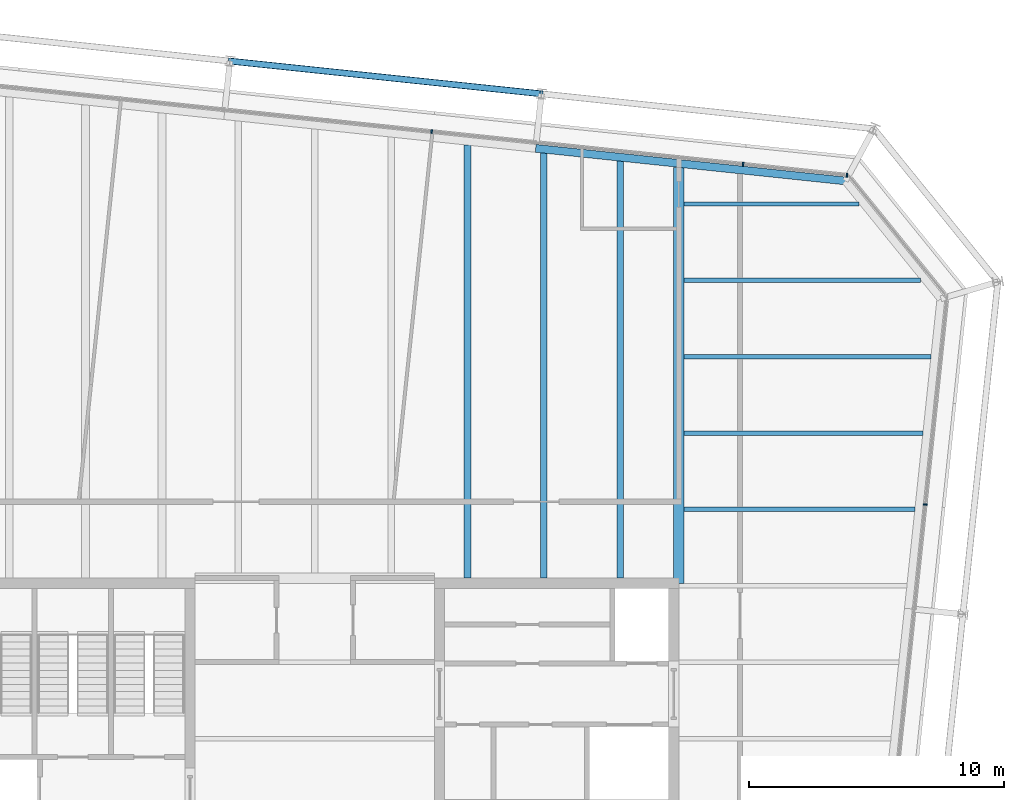
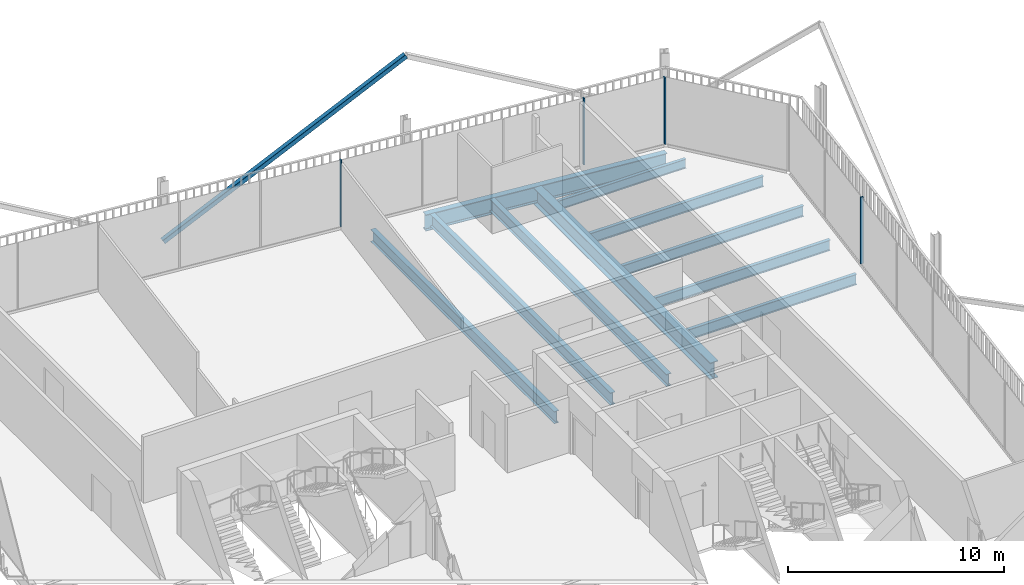
# One storey, part 14 of 21: 10 beams, 5 members, 2 elements without a shape of their own.
"""IFC4 building model written with IfcOpenShell, lengths in metres."""

import ifcopenshell
import ifcopenshell.guid

model = None  # the IFC model being written
_history = None  # IfcOwnerHistory: only IFC2X3 demands one
_inside = {}  # id of a spatial element -> (the spatial element, [elements in it])
_under = {}  # id of a project, library or spatial element -> (it, [spatial elements below it])
_declared = {}  # id of a project -> (the project, [libraries it declares])
_typed = {}  # id of a type object -> (the type object, [elements of that type])
_made_of = {}  # id of a material, layer set ... -> (it, [elements and type objects made of it])


def new_model(schema):
    """Start an empty IFC model of exactly this schema.

    Asked for "IFC4X3", IfcOpenShell would pick the latest addendum, in which some entities
    have other attributes; the version numbers below select the first issue.
    IFC2X3 requires an IfcOwnerHistory on every rooted entity: one is made here for all.
    """
    global model, _history
    if schema == "IFC4X3":
        model = ifcopenshell.file(schema_version=(4, 3, 0, 0))
    else:
        model = ifcopenshell.file(schema=schema)
    _inside.clear()
    _under.clear()
    _declared.clear()
    _typed.clear()
    _made_of.clear()
    _history = None
    if model.schema == "IFC2X3":
        org = make("IfcOrganization", Name="unknown")
        user = make(
            "IfcPersonAndOrganization",
            ThePerson=make("IfcPerson", FamilyName="unknown"),
            TheOrganization=org,
        )
        app = make(
            "IfcApplication",
            ApplicationDeveloper=org,
            Version="unknown",
            ApplicationFullName="unknown",
            ApplicationIdentifier="unknown",
        )
        _history = make(
            "IfcOwnerHistory",
            OwningUser=user,
            OwningApplication=app,
            ChangeAction="ADDED",
            CreationDate=0,
        )
    return model


def make(cls, **values):
    """One entity of the class cls with the attributes given. An attribute that is None is left unset."""
    return model.create_entity(
        cls, **{name: value for name, value in values.items() if value is not None}
    )


def rooted(cls, **values):
    """An entity with a GlobalId (a new one), such as an element, a storey or a relation."""
    return make(cls, GlobalId=ifcopenshell.guid.new(), OwnerHistory=_history, **values)


def si_unit(unit_type, name, prefix=None):
    """IfcSIUnit, for example si_unit("LENGTHUNIT", "METRE", prefix="MILLI")."""
    return make("IfcSIUnit", UnitType=unit_type, Prefix=prefix, Name=name)


def assignment(units):
    """IfcUnitAssignment: the units of a project."""
    return None if units is None else make("IfcUnitAssignment", Units=units)


def point(xyz):
    """IfcCartesianPoint."""
    return None if xyz is None else make("IfcCartesianPoint", Coordinates=xyz)


def direction(xyz):
    """IfcDirection."""
    return None if xyz is None else make("IfcDirection", DirectionRatios=xyz)


def frame(location, z_axis=None, x_axis=None):
    """IfcAxis2Placement3D, a coordinate frame: its origin and axes. An axis left out is left unset."""
    return make(
        "IfcAxis2Placement3D",
        Location=point(location),
        Axis=direction(z_axis),
        RefDirection=direction(x_axis),
    )


def frame_2d(location, x_axis=None):
    """IfcAxis2Placement2D, a coordinate frame in the plane: its origin and x axis."""
    return make(
        "IfcAxis2Placement2D", Location=point(location), RefDirection=direction(x_axis)
    )


def origin():
    """The frame at (0, 0, 0) with its axes left unset."""
    return frame((0.0, 0.0, 0.0))


def origin_2d():
    """The frame at (0, 0) in the plane with its x axis left unset."""
    return frame_2d((0.0, 0.0))


def place(relative_to, where):
    """IfcLocalPlacement: puts the frame where relative to a parent placement (None: the world)."""
    return make(
        "IfcLocalPlacement", PlacementRelTo=relative_to, RelativePlacement=where
    )


def context(
    kind, dimensions, precision=None, world=None, true_north=None, identifier=None
):
    """IfcGeometricRepresentationContext, for example the 3D "Model" context."""
    return make(
        "IfcGeometricRepresentationContext",
        ContextIdentifier=identifier,
        ContextType=kind,
        CoordinateSpaceDimension=dimensions,
        Precision=precision,
        WorldCoordinateSystem=world,
        TrueNorth=true_north,
    )


def subcontext(parent, identifier, kind, view, scale=None):
    """IfcGeometricRepresentationSubContext, for example "Body" below "Model"."""
    return make(
        "IfcGeometricRepresentationSubContext",
        ContextIdentifier=identifier,
        ContextType=kind,
        ParentContext=parent,
        TargetScale=scale,
        TargetView=view,
    )


def project(units=None, contexts=None):
    """IfcProject with its units and contexts."""
    return rooted(
        "IfcProject",
        Name="project",
        RepresentationContexts=contexts,
        UnitsInContext=assignment(units),
    )


def spatial(cls, under=None, at=None, **own):
    """A site, building, storey or space (cls), placed at a placement, below another one or the project."""
    s = rooted(cls, ObjectPlacement=at, **own)
    if under is not None:
        _under.setdefault(under.id(), (under, []))[1].append(s)
    return s


def profile(cls, at=None, kind="AREA", **sizes):
    """A parametric profile (cls). Its sizes go by their IFC names, for example OverallWidth=200.0."""
    return make(cls, ProfileType=kind, Position=at, **sizes)


def rectangle(**sizes):
    """IfcRectangleProfileDef."""
    return profile("IfcRectangleProfileDef", **sizes)


def hollow_rectangle(**sizes):
    """IfcRectangleHollowProfileDef."""
    return profile("IfcRectangleHollowProfileDef", **sizes)


def i_section(**sizes):
    """IfcIShapeProfileDef."""
    return profile("IfcIShapeProfileDef", **sizes)


def extrude(swept, where, along, depth):
    """IfcExtrudedAreaSolid: the profile swept, set in the frame where, extruded along a direction by depth."""
    return make(
        "IfcExtrudedAreaSolid",
        SweptArea=swept,
        Position=where,
        ExtrudedDirection=direction(along),
        Depth=depth,
    )


def shape(context_of_items, identifier, shape_type, items):
    """IfcShapeRepresentation: the items that make up one representation, for example the "Body"."""
    return make(
        "IfcShapeRepresentation",
        ContextOfItems=context_of_items,
        RepresentationIdentifier=identifier,
        RepresentationType=shape_type,
        Items=items,
    )


def material(Name=None, Category=None):
    """IfcMaterial."""
    return make("IfcMaterial", Name=Name, Category=Category)


def layer(
    of_material, thickness, ventilated=None, Name=None, Category=None, Priority=None
):
    """IfcMaterialLayer: one layer of a wall or slab, of a material (None: an air gap)."""
    return make(
        "IfcMaterialLayer",
        Material=of_material,
        LayerThickness=thickness,
        IsVentilated=ventilated,
        Name=Name,
        Category=Category,
        Priority=Priority,
    )


def layer_set(layers, Name=None):
    """IfcMaterialLayerSet."""
    return make("IfcMaterialLayerSet", MaterialLayers=layers, LayerSetName=Name)


def material_profile(
    of_material, cross_section, Name=None, Category=None, Priority=None
):
    """IfcMaterialProfile: a cross section and its material."""
    return make(
        "IfcMaterialProfile",
        Name=Name,
        Material=of_material,
        Profile=cross_section,
        Priority=Priority,
        Category=Category,
    )


def profile_set(profiles, Name=None, composite=None):
    """IfcMaterialProfileSet."""
    return make(
        "IfcMaterialProfileSet",
        Name=Name,
        MaterialProfiles=profiles,
        CompositeProfile=composite,
    )


def made_of(thing, what):
    """Note that an element or type object is made of a material, layer set ...; save() writes the relation."""
    if what is not None:
        _made_of.setdefault(what.id(), (what, []))[1].append(thing)
    return thing


def type_object(cls, material=None, **own):
    """A type object (cls), such as IfcWallType, which elements share."""
    return made_of(rooted(cls, **own), material)


def element(
    cls,
    number,
    at=None,
    inside=None,
    cuts=None,
    type_object=None,
    material=None,
    context=None,
    identifier="Body",
    shape_type=None,
    held_by="IfcProductDefinitionShape",
    body=None,
    shapes=None,
    **own,
):
    """One element of the class cls, such as IfcWall. Its Tag is "e" and its number.

    at: its placement. inside: the storey or other place that contains it. cuts: it is an
    opening in that element (IfcRelVoidsElement). A single representation is given by context,
    identifier, shape_type and body (its items); several are given by shapes. held_by: the class
    of the entity that holds the representations. save() writes the other relations.
    """
    e = rooted(cls, Tag="e%d" % number, ObjectPlacement=at, **own)
    if body is not None:
        shapes = [shape(context, identifier, shape_type, body)]
    if shapes is not None:
        e.Representation = make(held_by, Representations=shapes)
    if inside is not None:
        _inside.setdefault(inside.id(), (inside, []))[1].append(e)
    if cuts is not None:
        rooted(
            "IfcRelVoidsElement", RelatingBuildingElement=cuts, RelatedOpeningElement=e
        )
    if type_object is not None:
        _typed.setdefault(type_object.id(), (type_object, []))[1].append(e)
    return made_of(e, material)


def aggregate(whole, parts):
    """IfcRelAggregates: a whole, such as a stair, and the parts it consists of."""
    return rooted("IfcRelAggregates", RelatingObject=whole, RelatedObjects=parts)


def save(model, path):
    """Write the relations noted so far, then the file.

    IfcRelAggregates (storeys below a building ...), IfcRelContainedInSpatialStructure (elements
    in a storey), IfcRelDefinesByType, IfcRelAssociatesMaterial and IfcRelDeclares: one each for
    every whole, place, type object, material and project.
    """
    for whole, parts in _under.values():
        aggregate(whole, parts)
    for where, things in _inside.values():
        rooted(
            "IfcRelContainedInSpatialStructure",
            RelatedElements=things,
            RelatingStructure=where,
        )
    for kind, things in _typed.values():
        rooted("IfcRelDefinesByType", RelatedObjects=things, RelatingType=kind)
    for what, things in _made_of.values():
        rooted("IfcRelAssociatesMaterial", RelatedObjects=things, RelatingMaterial=what)
    for by, libraries in _declared.values():
        rooted("IfcRelDeclares", RelatingContext=by, RelatedDefinitions=libraries)
    model.write(path)


model = new_model("IFC4")

# Units and contexts
model_context = context("Model", 3, precision=1e-05, world=origin(), true_north=direction((0.0, 1.0)))
body_context = subcontext(model_context, "Body", "Model", "MODEL_VIEW")
ifc_project = project(units=[si_unit("LENGTHUNIT", "METRE"), si_unit("AREAUNIT", "SQUARE_METRE"), si_unit("VOLUMEUNIT", "CUBIC_METRE"), si_unit("PLANEANGLEUNIT", "RADIAN"), si_unit("MASSUNIT", "GRAM", prefix="KILO")], contexts=[model_context])

# Site, building, storey
site_placement = place(None, origin())
site = spatial("IfcSite", under=ifc_project, at=site_placement, CompositionType="ELEMENT")
building_placement = place(site_placement, origin())
building = spatial("IfcBuilding", under=site, at=building_placement, Name="Millrace Tower", CompositionType="ELEMENT")
storey_placement = place(building_placement, frame((0.0, 0.0, 299.39990234375)))
storey = spatial("IfcBuildingStorey", under=building, at=storey_placement, Name="L69", CompositionType="ELEMENT", Elevation=299.39990234375)

# Curtain wall, member
ifc_material_1 = material(Name="Aluminium and glass", Category="aluminium")
ifc_layer = layer(ifc_material_1, 0.14990234375)
ifc_layer_set = layer_set([ifc_layer], Name="Aluminium and glass")
curtain_wall_type = type_object("IfcCurtainWallType", Name="CW-1 office vision curtain wall", PredefinedType="NOTDEFINED", material=ifc_layer_set)
placement = place(storey_placement, origin())
curtain_wall_1 = element("IfcCurtainWall", 1, at=placement, inside=storey, type_object=curtain_wall_type, Name="Curtain wall E-F04 L69", PredefinedType="NOTDEFINED")
ifc_material_2 = material(Name="Aluminium", Category="aluminium")
ifc_material_profile_1 = material_profile(ifc_material_2, rectangle(XDim=0.06494140625, YDim=0.14990234375, at=origin_2d()))
ifc_profile_set_1 = profile_set([ifc_material_profile_1], Name="Aluminium")
member_type_1 = type_object("IfcMemberType", Name="CW-1 office vision curtain wall mullion", PredefinedType="MULLION", material=ifc_profile_set_1)
member_1_placement = place(storey_placement, frame((23.974853515625, 12.1904296875, 0.14013671875), z_axis=(0.0, 0.0, 1.0), x_axis=(0.104528455196, 0.994521896217, 0.0)))
member_1 = element("IfcMember", 2, at=member_1_placement, type_object=member_type_1, Name="CW1 mullion E-F04.8", PredefinedType="MULLION", context=body_context, shape_type="SweptSolid", body=[
    extrude(rectangle(XDim=0.06494140625, YDim=0.14990234375, at=origin_2d()), origin(), (0.0, 0.0, 1.0), 3.760009765625),
])
aggregate(curtain_wall_1, [member_1])

# Curtain wall, members
curtain_wall_2 = element("IfcCurtainWall", 3, at=placement, inside=storey, type_object=curtain_wall_type, Name="Curtain wall E-F06 L69", PredefinedType="NOTDEFINED")
member_2_placement = place(storey_placement, frame((20.902587890625, 25.124755859375, 0.14013671875), z_axis=(0.0, 0.0, 1.0), x_axis=(-0.994521896217, 0.104528455196, 0.0)))
member_2 = element("IfcMember", 4, at=member_2_placement, type_object=member_type_1, Name="CW1 mullion E-F06.1", PredefinedType="MULLION", context=body_context, shape_type="SweptSolid", body=[
    extrude(rectangle(XDim=0.06494140625, YDim=0.14990234375, at=origin_2d()), origin(), (0.0, 0.0, 1.0), 3.760009765625),
])
member_3_placement = place(storey_placement, frame((16.824951171875, 25.553466796875, 0.14013671875), z_axis=(0.0, 0.0, 1.0), x_axis=(-0.994521896217, 0.104528455196, 0.0)))
member_3 = element("IfcMember", 5, at=member_3_placement, type_object=member_type_1, Name="CW1 mullion E-F06.2", PredefinedType="MULLION", context=body_context, shape_type="SweptSolid", body=[
    extrude(rectangle(XDim=0.06494140625, YDim=0.14990234375, at=origin_2d()), origin(), (0.0, 0.0, 1.0), 3.760009765625),
])
member_4_placement = place(storey_placement, frame((4.59228515625, 26.839111328125, 0.14013671875), z_axis=(0.0, 0.0, 1.0), x_axis=(-0.994521896217, 0.104528455196, 0.0)))
member_4 = element("IfcMember", 6, at=member_4_placement, type_object=member_type_1, Name="CW1 mullion E-F06.5", PredefinedType="MULLION", context=body_context, shape_type="SweptSolid", body=[
    extrude(rectangle(XDim=0.06494140625, YDim=0.14990234375, at=origin_2d()), origin(), (0.0, 0.0, 1.0), 3.760009765625),
])
aggregate(curtain_wall_2, [member_2, member_3, member_4])

# Member
ifc_material_3 = material(Name="Steel ASTM A500 Grade C", Category="steel")
ifc_material_profile_2 = material_profile(ifc_material_3, hollow_rectangle(XDim=0.25390625, YDim=0.25390625, WallThickness=0.0126953125, InnerFilletRadius=0.00634765625, OuterFilletRadius=0.01904296875, at=origin_2d()))
ifc_profile_set_2 = profile_set([ifc_material_profile_2], Name="Steel ASTM A500 Grade C")
member_type_2 = type_object("IfcMemberType", Name="Exoskeleton brace HSS10x10x1/2", PredefinedType="BRACE", material=ifc_profile_set_2)
member_5_placement = place(storey_placement, frame((-3.329345703125, 29.607177734375, 0.400146484375), z_axis=(0.864351522622, -0.090842732624, 0.494615045537), x_axis=(0.104523600289, 0.994522406476, 0.0)))
element("IfcMember", 7, at=member_5_placement, inside=storey, type_object=member_type_2, Name="BRC-E-L69-11", PredefinedType="BRACE", context=body_context, shape_type="SweptSolid", body=[
    extrude(hollow_rectangle(XDim=0.25390625, YDim=0.25390625, WallThickness=0.0126953125, InnerFilletRadius=0.00634765625, OuterFilletRadius=0.01904296875, at=origin_2d()), origin(), (0.0, 0.0, 1.0), 14.15234375),
])

# Beams
ifc_material_4 = material(Name="Steel ASTM A992 Grade 50", Category="steel")
ifc_material_profile_3 = material_profile(ifc_material_4, i_section(OverallWidth=0.1650390625, OverallDepth=0.52587890625, WebThickness=0.0087890625, FlangeThickness=0.011474609375, FilletRadius=0.0126953125, at=origin_2d()))
ifc_profile_set_3 = profile_set([ifc_material_profile_3], Name="Steel ASTM A992 Grade 50")
beam_type_1 = type_object("IfcBeamType", Name="Floor beam W21x44", PredefinedType="JOIST", material=ifc_profile_set_3)
beam_1_placement = place(storey_placement, frame((14.509521484375, 24.0, -0.4228515625), z_axis=(1.0, 0.0, 0.0), x_axis=(0.0, 1.0, 0.0)))
element("IfcBeam", 8, at=beam_1_placement, inside=storey, type_object=beam_type_1, Name="BM-E-L69-S1-S034", PredefinedType="JOIST", context=body_context, shape_type="SweptSolid", body=[
    extrude(i_section(OverallWidth=0.1650390625, OverallDepth=0.52587890625, WebThickness=0.0087890625, FlangeThickness=0.011474609375, FilletRadius=0.0126953125, at=origin_2d()), origin(), (0.0, 0.0, 1.0), 6.861572265625),
])
ifc_material_5 = material(Name="Steel ASTM A992 Grade 50", Category="steel")
ifc_material_profile_4 = material_profile(ifc_material_5, i_section(OverallWidth=0.177978515625, OverallDepth=0.599365234375, WebThickness=0.010009765625, FlangeThickness=0.012939453125, FilletRadius=0.012939453125, at=origin_2d()))
ifc_profile_set_4 = profile_set([ifc_material_profile_4], Name="Steel ASTM A992 Grade 50")
beam_type_2 = type_object("IfcBeamType", Name="Floor beam W24x55", PredefinedType="JOIST", material=ifc_profile_set_4)
beam_2_placement = place(storey_placement, frame((14.509521484375, 12.0, -0.459716796875), z_axis=(1.0, 0.0, 0.0), x_axis=(0.0, 1.0, 0.0)))
element("IfcBeam", 9, at=beam_2_placement, inside=storey, type_object=beam_type_2, Name="BM-E-L69-S1-S026", PredefinedType="JOIST", context=body_context, shape_type="SweptSolid", body=[
    extrude(i_section(OverallWidth=0.177978515625, OverallDepth=0.599365234375, WebThickness=0.010009765625, FlangeThickness=0.012939453125, FilletRadius=0.012939453125, at=origin_2d()), origin(), (0.0, 0.0, 1.0), 9.060791015625),
])
beam_3_placement = place(storey_placement, frame((14.509521484375, 15.0, -0.459716796875), z_axis=(1.0, 0.0, 0.0), x_axis=(0.0, 1.0, 0.0)))
element("IfcBeam", 10, at=beam_3_placement, inside=storey, type_object=beam_type_2, Name="BM-E-L69-S1-S028", PredefinedType="JOIST", context=body_context, shape_type="SweptSolid", body=[
    extrude(i_section(OverallWidth=0.177978515625, OverallDepth=0.599365234375, WebThickness=0.010009765625, FlangeThickness=0.012939453125, FilletRadius=0.012939453125, at=origin_2d()), origin(), (0.0, 0.0, 1.0), 9.376220703125),
])
beam_4_placement = place(storey_placement, frame((14.509521484375, 18.0, -0.459716796875), z_axis=(1.0, 0.0, 0.0), x_axis=(0.0, 1.0, 0.0)))
element("IfcBeam", 11, at=beam_4_placement, inside=storey, type_object=beam_type_2, Name="BM-E-L69-S1-S030", PredefinedType="JOIST", context=body_context, shape_type="SweptSolid", body=[
    extrude(i_section(OverallWidth=0.177978515625, OverallDepth=0.599365234375, WebThickness=0.010009765625, FlangeThickness=0.012939453125, FilletRadius=0.012939453125, at=origin_2d()), origin(), (0.0, 0.0, 1.0), 9.69140625),
])
beam_5_placement = place(storey_placement, frame((14.509521484375, 21.0, -0.459716796875), z_axis=(1.0, 0.0, 0.0), x_axis=(0.0, 1.0, 0.0)))
element("IfcBeam", 12, at=beam_5_placement, inside=storey, type_object=beam_type_2, Name="BM-E-L69-S1-S032", PredefinedType="JOIST", context=body_context, shape_type="SweptSolid", body=[
    extrude(i_section(OverallWidth=0.177978515625, OverallDepth=0.599365234375, WebThickness=0.010009765625, FlangeThickness=0.012939453125, FilletRadius=0.012939453125, at=origin_2d()), origin(), (0.0, 0.0, 1.0), 9.282958984375),
])
ifc_material_6 = material(Name="Steel ASTM A992 Grade 50", Category="steel")
ifc_material_profile_5 = material_profile(ifc_material_6, i_section(OverallWidth=0.256591796875, OverallDepth=0.693359375, WebThickness=0.014404296875, FlangeThickness=0.023681640625, FilletRadius=0.01513671875, at=origin_2d()))
ifc_profile_set_5 = profile_set([ifc_material_profile_5], Name="Steel ASTM A992 Grade 50")
beam_type_3 = type_object("IfcBeamType", Name="Floor beam W27x114", PredefinedType="JOIST", material=ifc_profile_set_5)
beam_6_placement = place(storey_placement, frame((6.0, 9.300048828125, -0.506591796875), z_axis=(0.0, 1.0, 0.0), x_axis=(-1.0, 0.0, 0.0)))
element("IfcBeam", 13, at=beam_6_placement, inside=storey, type_object=beam_type_3, Name="BM-E-L69-S1-S048", PredefinedType="JOIST", context=body_context, shape_type="SweptSolid", body=[
    extrude(i_section(OverallWidth=0.256591796875, OverallDepth=0.693359375, WebThickness=0.014404296875, FlangeThickness=0.023681640625, FilletRadius=0.01513671875, at=origin_2d()), origin(), (0.0, 0.0, 1.0), 17.006591796875),
])
beam_7_placement = place(storey_placement, frame((9.0, 9.300048828125, -0.506591796875), z_axis=(0.0, 1.0, 0.0), x_axis=(-1.0, 0.0, 0.0)))
element("IfcBeam", 14, at=beam_7_placement, inside=storey, type_object=beam_type_3, Name="BM-E-L69-S1-S050", PredefinedType="JOIST", context=body_context, shape_type="SweptSolid", body=[
    extrude(i_section(OverallWidth=0.256591796875, OverallDepth=0.693359375, WebThickness=0.014404296875, FlangeThickness=0.023681640625, FilletRadius=0.01513671875, at=origin_2d()), origin(), (0.0, 0.0, 1.0), 16.69140625),
])
beam_8_placement = place(storey_placement, frame((12.0, 9.300048828125, -0.506591796875), z_axis=(0.0, 1.0, 0.0), x_axis=(-1.0, 0.0, 0.0)))
element("IfcBeam", 15, at=beam_8_placement, inside=storey, type_object=beam_type_3, Name="BM-E-L69-S1-S052", PredefinedType="JOIST", context=body_context, shape_type="SweptSolid", body=[
    extrude(i_section(OverallWidth=0.256591796875, OverallDepth=0.693359375, WebThickness=0.014404296875, FlangeThickness=0.023681640625, FilletRadius=0.01513671875, at=origin_2d()), origin(), (0.0, 0.0, 1.0), 16.3759765625),
])
ifc_material_7 = material(Name="Steel ASTM A992 Grade 50", Category="steel")
ifc_material_profile_6 = material_profile(ifc_material_7, i_section(OverallWidth=0.424072265625, OverallDepth=0.947509765625, WebThickness=0.02392578125, FlangeThickness=0.042724609375, FilletRadius=0.024169921875, at=origin_2d()))
ifc_profile_set_6 = profile_set([ifc_material_profile_6], Name="Steel ASTM A992 Grade 50")
beam_type_4 = type_object("IfcBeamType", Name="Girder medium span W36x302", PredefinedType="BEAM", material=ifc_profile_set_6)
beam_9_placement = place(storey_placement, frame((14.300048828125, 9.092041015625, -0.633544921875), z_axis=(0.0, 1.0, 0.0), x_axis=(-1.0, 0.0, 0.0)))
element("IfcBeam", 16, at=beam_9_placement, inside=storey, type_object=beam_type_4, Name="BM-E-L69-S1-G056", PredefinedType="BEAM", context=body_context, shape_type="SweptSolid", body=[
    extrude(i_section(OverallWidth=0.424072265625, OverallDepth=0.947509765625, WebThickness=0.02392578125, FlangeThickness=0.042724609375, FilletRadius=0.024169921875, at=origin_2d()), origin(), (0.0, 0.0, 1.0), 16.34228515625),
])
ifc_material_8 = material(Name="Steel ASTM A992 Grade 50", Category="steel")
ifc_material_profile_7 = material_profile(ifc_material_8, i_section(OverallWidth=0.307373046875, OverallDepth=0.927001953125, WebThickness=0.01953125, FlangeThickness=0.031982421875, FilletRadius=0.01904296875, at=origin_2d()))
ifc_profile_set_7 = profile_set([ifc_material_profile_7], Name="Steel ASTM A992 Grade 50")
beam_type_5 = type_object("IfcBeamType", Name="Ring beam medium span W36x194", PredefinedType="SPANDREL", material=ifc_profile_set_7)
beam_10_placement = place(storey_placement, frame((8.67822265625, 26.1796875, -0.62353515625), z_axis=(0.994521948696, -0.104527955888, 0.0), x_axis=(0.104527955888, 0.994521948696, 0.0)))
element("IfcBeam", 17, at=beam_10_placement, inside=storey, type_object=beam_type_5, Name="RNG-E-L69-S1-07", PredefinedType="SPANDREL", context=body_context, shape_type="SweptSolid", body=[
    extrude(i_section(OverallWidth=0.307373046875, OverallDepth=0.927001953125, WebThickness=0.01953125, FlangeThickness=0.031982421875, FilletRadius=0.01904296875, at=origin_2d()), origin(), (0.0, 0.0, 1.0), 12.236572265625),
])

save(model, "model.ifc")
